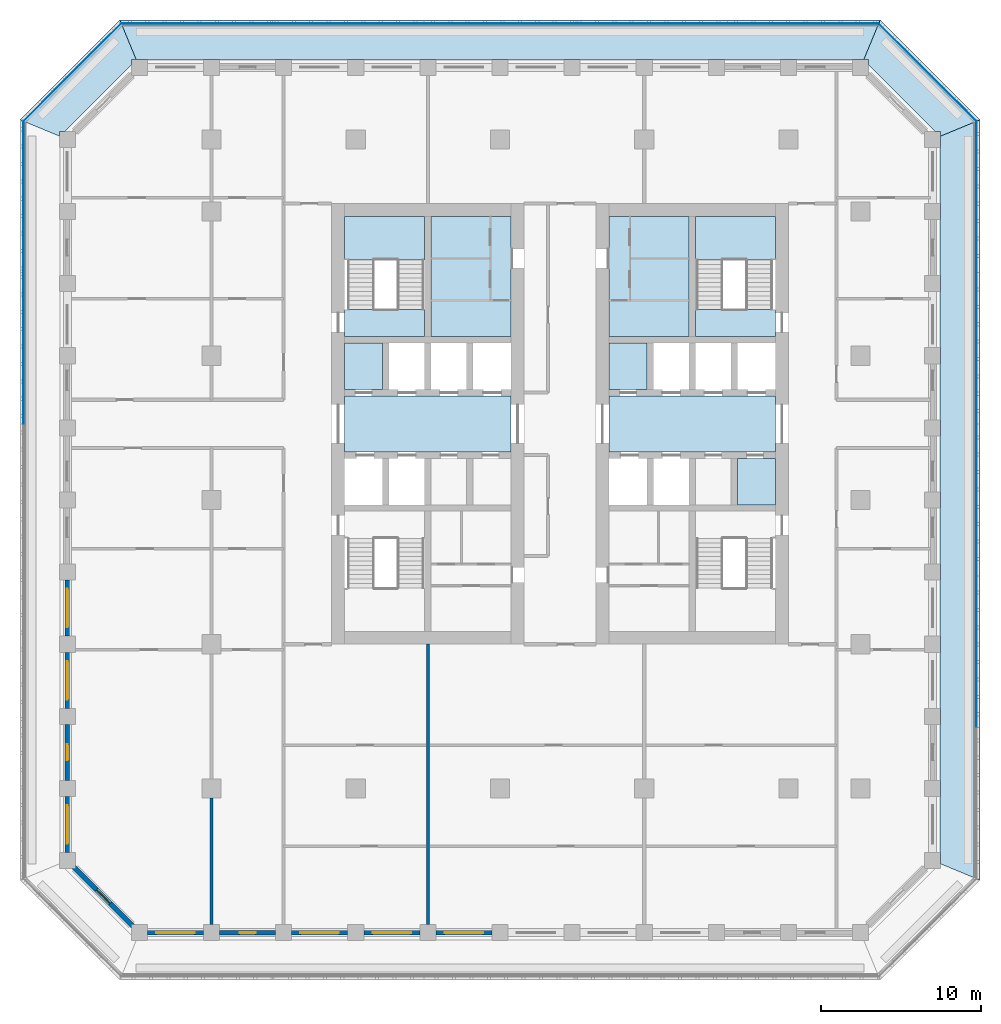
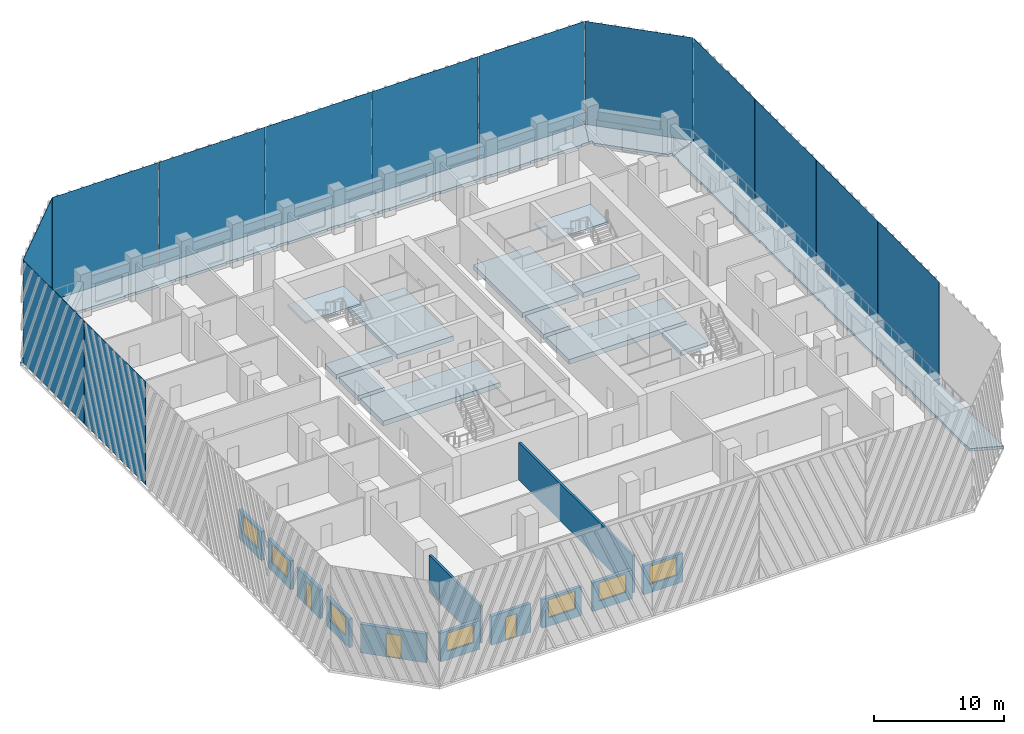
# One storey, part 2 of 18: 15 slabs, 13 plates, 12 walls, 7 windows, 3 doors, 10 openings, 2 elements without a shape of their own.
"""IFC4 building model written with IfcOpenShell, lengths in metres."""

from ifc_helpers import new_model, si_unit, direction, frame, frame_2d, origin, origin_2d, place, context, subcontext, project, spatial, polyline, rectangle, outline, extrude, material, layer, layer_set, type_object, element, fill, aggregate, save


model = new_model("IFC4")

# Units and contexts
model_context = context("Model", 3, precision=1e-05, world=origin(), true_north=direction((0.0, 1.0)))
body_context = subcontext(model_context, "Body", "Model", "MODEL_VIEW")
ifc_project = project(units=[si_unit("LENGTHUNIT", "METRE"), si_unit("AREAUNIT", "SQUARE_METRE"), si_unit("VOLUMEUNIT", "CUBIC_METRE"), si_unit("PLANEANGLEUNIT", "RADIAN"), si_unit("MASSUNIT", "GRAM", prefix="KILO")], contexts=[model_context])

# Site, building, storey
site_placement = place(None, origin())
site = spatial("IfcSite", under=ifc_project, at=site_placement, CompositionType="ELEMENT")
building_placement = place(site_placement, origin())
building = spatial("IfcBuilding", under=site, at=building_placement, Name="Corbel Stack Research Tower", CompositionType="ELEMENT")
storey_placement = place(building_placement, frame((0.0, 0.0, 181.39990234375)))
storey = spatial("IfcBuildingStorey", under=building, at=storey_placement, Name="L41", CompositionType="ELEMENT", Elevation=181.39990234375)

# Plates
ifc_material_1 = material(Name="Fritted glass", Category="glass")
ifc_layer_1 = layer(ifc_material_1, 0.02490234375)
ifc_layer_set_1 = layer_set([ifc_layer_1], Name="Fritted glass")
plate_type = type_object("IfcPlateType", Name="Fritted glass panel 25", PredefinedType="SHEET", material=ifc_layer_set_1)
for number, where, z_axis, x_axis, name in (
    (1, (29.737548828125, -9.45556640625, 0.000244140625), (0.0, 0.0, 1.0), (0.0, 1.0, 0.0), "Fritted glass L41 E2"),
    (2, (29.737548828125, 0.0, 0.000244140625), (0.0, 0.0, 1.0), (0.0, 1.0, 0.0), "Fritted glass L41 E3"),
    (3, (29.737548828125, 9.45556640625, 0.000244140625), (0.0, 0.0, 1.0), (0.0, 1.0, 0.0), "Fritted glass L41 E4"),
    (4, (29.737548828125, 18.911376953125, 0.000244140625), (0.0, 0.0, 1.0), (0.0, 1.0, 0.0), "Fritted glass L41 E5"),
):
    element("IfcPlate", number, at=place(storey_placement, frame(where, z_axis=z_axis, x_axis=x_axis)), inside=storey, type_object=plate_type, Name=name, PredefinedType="SHEET", context=body_context, shape_type="SweptSolid", body=[
        extrude(rectangle(XDim=9.3955078125, YDim=0.02490234375, at=origin_2d()), origin(), (0.0, 0.0, 1.0), 9.64990234375),
    ])
plate_1_placement = place(storey_placement, frame((26.685791015625, 26.685791015625, 0.000244140625), z_axis=(0.0, 0.0, 1.0), x_axis=(-0.707106781187, 0.707106781187, 0.0)))
element("IfcPlate", 5, at=plate_1_placement, inside=storey, type_object=plate_type, Name="Fritted glass L41 NE1", PredefinedType="SHEET", context=body_context, shape_type="SweptSolid", body=[
    extrude(rectangle(XDim=8.58203125, YDim=0.02490234375, at=origin_2d()), origin(), (0.0, 0.0, 1.0), 9.64990234375),
])
for number, where, z_axis, x_axis, name in (
    (6, (18.911376953125, 29.737548828125, 0.000244140625), (0.0, 0.0, 1.0), (-1.0, 0.0, 0.0), "Fritted glass L41 N1"),
    (7, (9.45556640625, 29.737548828125, 0.000244140625), (0.0, 0.0, 1.0), (-1.0, 0.0, 0.0), "Fritted glass L41 N2"),
    (8, (0.0, 29.737548828125, 0.000244140625), (0.0, 0.0, 1.0), (-1.0, 0.0, 0.0), "Fritted glass L41 N3"),
    (9, (-9.45556640625, 29.737548828125, 0.000244140625), (0.0, 0.0, 1.0), (-1.0, 0.0, 0.0), "Fritted glass L41 N4"),
    (10, (-18.911376953125, 29.737548828125, 0.000244140625), (0.0, 0.0, 1.0), (-1.0, 0.0, 0.0), "Fritted glass L41 N5"),
):
    element("IfcPlate", number, at=place(storey_placement, frame(where, z_axis=z_axis, x_axis=x_axis)), inside=storey, type_object=plate_type, Name=name, PredefinedType="SHEET", context=body_context, shape_type="SweptSolid", body=[
        extrude(rectangle(XDim=9.3955078125, YDim=0.02490234375, at=origin_2d()), origin(), (0.0, 0.0, 1.0), 9.64990234375),
    ])
plate_2_placement = place(storey_placement, frame((-26.685791015625, 26.685791015625, 0.000244140625), z_axis=(0.0, 0.0, 1.0), x_axis=(-0.707106781187, -0.707106781187, 0.0)))
element("IfcPlate", 11, at=plate_2_placement, inside=storey, type_object=plate_type, Name="Fritted glass L41 NW1", PredefinedType="SHEET", context=body_context, shape_type="SweptSolid", body=[
    extrude(rectangle(XDim=8.58203125, YDim=0.02490234375, at=origin_2d()), origin(), (0.0, 0.0, 1.0), 9.64990234375),
])
for number, where, z_axis, x_axis, name in (
    (12, (-29.737548828125, 18.911376953125, 0.000244140625), (0.0, 0.0, 1.0), (0.0, -1.0, 0.0), "Fritted glass L41 W1"),
    (13, (-29.737548828125, 9.45556640625, 0.000244140625), (0.0, 0.0, 1.0), (0.0, -1.0, 0.0), "Fritted glass L41 W2"),
):
    element("IfcPlate", number, at=place(storey_placement, frame(where, z_axis=z_axis, x_axis=x_axis)), inside=storey, type_object=plate_type, Name=name, PredefinedType="SHEET", context=body_context, shape_type="SweptSolid", body=[
        extrude(rectangle(XDim=9.3955078125, YDim=0.02490234375, at=origin_2d()), origin(), (0.0, 0.0, 1.0), 9.64990234375),
    ])

# Slabs
ifc_material_2 = material(Name="Concrete C45/55", Category="concrete")
ifc_layer_2 = layer(ifc_material_2, 0.25)
ifc_layer_set_2 = layer_set([ifc_layer_2], Name="Concrete C45/55")
slab_type_1 = type_object("IfcSlabType", Name="PT balcony slab 250 C45/55", PredefinedType="FLOOR", material=ifc_layer_set_2)
slab_1_placement = place(storey_placement, frame((0.0, 0.0, -0.25)))
element("IfcSlab", 14, at=slab_1_placement, inside=storey, type_object=slab_type_1, Name="Loggia slab L41 E", PredefinedType="FLOOR", context=body_context, shape_type="SweptSolid", body=[
    extrude(outline(polyline([(27.5, 22.70703125), (27.5, 22.0), (27.449951171875, 22.0), (27.449951171875, 18.5), (27.5, 18.5), (27.5, 17.5), (27.449951171875, 17.5), (27.449951171875, 14.0), (27.5, 14.0), (27.5, 13.0), (27.449951171875, 13.0), (27.449951171875, 9.5), (27.5, 9.5), (27.5, 8.5), (27.449951171875, 8.5), (27.449951171875, 5.0), (27.5, 5.0), (27.5, 4.0), (27.449951171875, 4.0), (27.449951171875, 0.5), (27.5, 0.5), (27.5, -0.5), (27.449951171875, -0.5), (27.449951171875, -4.0), (27.5, -4.0), (27.5, -5.0), (27.449951171875, -5.0), (27.449951171875, -8.5), (27.5, -8.5), (27.5, -9.5), (27.449951171875, -9.5), (27.449951171875, -13.0), (27.5, -13.0), (27.5, -14.0), (27.449951171875, -14.0), (27.449951171875, -17.5), (27.5, -17.5), (27.5, -18.5), (27.449951171875, -18.5), (27.449951171875, -22.0), (27.5, -22.0), (27.5, -22.70703125), (29.949951171875, -23.721923828125), (29.949951171875, 23.721923828125), (27.5, 22.70703125)])), origin(), (0.0, 0.0, 1.0), 0.25),
])
slab_2_placement = place(storey_placement, frame((0.0, 0.0, -0.25)))
element("IfcSlab", 15, at=slab_2_placement, inside=storey, type_object=slab_type_1, Name="Loggia slab L41 NE", PredefinedType="FLOOR", context=body_context, shape_type="SweptSolid", body=[
    extrude(outline(polyline([(22.70703125, 27.5), (23.0, 27.5), (23.0, 27.136474609375), (27.136474609375, 23.0), (27.5, 23.0), (27.5, 22.70703125), (29.949951171875, 23.721923828125), (23.721923828125, 29.949951171875), (22.70703125, 27.5)])), origin(), (0.0, 0.0, 1.0), 0.25),
])
slab_3_placement = place(storey_placement, frame((0.0, 0.0, -0.25)))
element("IfcSlab", 16, at=slab_3_placement, inside=storey, type_object=slab_type_1, Name="Loggia slab L41 N", PredefinedType="FLOOR", context=body_context, shape_type="SweptSolid", body=[
    extrude(outline(polyline([(-22.70703125, 27.5), (-22.0, 27.5), (-22.0, 27.449951171875), (-18.5, 27.449951171875), (-18.5, 27.5), (-17.5, 27.5), (-17.5, 27.449951171875), (-14.0, 27.449951171875), (-14.0, 27.5), (-13.0, 27.5), (-13.0, 27.449951171875), (-9.5, 27.449951171875), (-9.5, 27.5), (-8.5, 27.5), (-8.5, 27.449951171875), (-5.0, 27.449951171875), (-5.0, 27.5), (-4.0, 27.5), (-4.0, 27.449951171875), (-0.5, 27.449951171875), (-0.5, 27.5), (0.5, 27.5), (0.5, 27.449951171875), (4.0, 27.449951171875), (4.0, 27.5), (5.0, 27.5), (5.0, 27.449951171875), (8.5, 27.449951171875), (8.5, 27.5), (9.5, 27.5), (9.5, 27.449951171875), (13.0, 27.449951171875), (13.0, 27.5), (14.0, 27.5), (14.0, 27.449951171875), (17.5, 27.449951171875), (17.5, 27.5), (18.5, 27.5), (18.5, 27.449951171875), (22.0, 27.449951171875), (22.0, 27.5), (22.70703125, 27.5), (23.721923828125, 29.949951171875), (-23.721923828125, 29.949951171875), (-22.70703125, 27.5)])), origin(), (0.0, 0.0, 1.0), 0.25),
])
slab_4_placement = place(storey_placement, frame((0.0, 0.0, -0.25)))
element("IfcSlab", 17, at=slab_4_placement, inside=storey, type_object=slab_type_1, Name="Loggia slab L41 NW", PredefinedType="FLOOR", context=body_context, shape_type="SweptSolid", body=[
    extrude(outline(polyline([(-27.5, 22.70703125), (-27.5, 23.0), (-27.136474609375, 23.0), (-23.0, 27.136474609375), (-23.0, 27.5), (-22.70703125, 27.5), (-23.721923828125, 29.949951171875), (-29.949951171875, 23.721923828125), (-27.5, 22.70703125)])), origin(), (0.0, 0.0, 1.0), 0.25),
])
ifc_material_3 = material(Name="Concrete C45/55", Category="concrete")
ifc_layer_3 = layer(ifc_material_3, 0.449951171875)
ifc_layer_set_3 = layer_set([ifc_layer_3], Name="Concrete C45/55")
slab_type_2 = type_object("IfcSlabType", Name="PT-450", PredefinedType="FLOOR", material=ifc_layer_set_3)
slab_5_placement = place(storey_placement, frame((0.0, 0.0, -0.449951171875)))
element("IfcSlab", 18, at=slab_5_placement, inside=storey, type_object=slab_type_2, Name="West core floor L41", PredefinedType="FLOOR", context=body_context, shape_type="SweptSolid", body=[
    extrude(outline(polyline([(0.699951171875, 6.5), (-9.699951171875, 6.5), (-9.699951171875, 3.0), (0.699951171875, 3.0), (0.699951171875, 6.5)])), origin(), (0.0, 0.0, 1.0), 0.449951171875),
])
slab_6_placement = place(storey_placement, frame((0.0, 0.0, -0.449951171875)))
element("IfcSlab", 19, at=slab_6_placement, inside=storey, type_object=slab_type_2, Name="West core floor L41", PredefinedType="FLOOR", context=body_context, shape_type="SweptSolid", body=[
    extrude(outline(polyline([(-9.699951171875, 6.89990234375), (-7.324951171875, 6.89990234375), (-7.324951171875, 9.800048828125), (-9.699951171875, 9.800048828125), (-9.699951171875, 6.89990234375)])), origin(), (0.0, 0.0, 1.0), 0.449951171875),
])
slab_7_placement = place(storey_placement, frame((0.0, 0.0, -0.449951171875)))
element("IfcSlab", 20, at=slab_7_placement, inside=storey, type_object=slab_type_2, Name="West core floor L41", PredefinedType="FLOOR", context=body_context, shape_type="SweptSolid", body=[
    extrude(outline(polyline([(0.699951171875, 17.699951171875), (-4.300048828125, 17.699951171875), (-4.300048828125, 10.199951171875), (0.699951171875, 10.199951171875), (0.699951171875, 17.699951171875)])), origin(), (0.0, 0.0, 1.0), 0.449951171875),
])
slab_8_placement = place(storey_placement, frame((0.0, 0.0, -0.449951171875)))
element("IfcSlab", 21, at=slab_8_placement, inside=storey, type_object=slab_type_2, Name="East core floor L41", PredefinedType="FLOOR", context=body_context, shape_type="SweptSolid", body=[
    extrude(outline(polyline([(17.199951171875, 6.5), (6.800048828125, 6.5), (6.800048828125, 3.0), (17.199951171875, 3.0), (17.199951171875, 6.5)])), origin(), (0.0, 0.0, 1.0), 0.449951171875),
])
slab_9_placement = place(storey_placement, frame((0.0, 0.0, -0.449951171875)))
element("IfcSlab", 22, at=slab_9_placement, inside=storey, type_object=slab_type_2, Name="East core floor L41", PredefinedType="FLOOR", context=body_context, shape_type="SweptSolid", body=[
    extrude(outline(polyline([(6.800048828125, 6.89990234375), (9.175048828125, 6.89990234375), (9.175048828125, 9.800048828125), (6.800048828125, 9.800048828125), (6.800048828125, 6.89990234375)])), origin(), (0.0, 0.0, 1.0), 0.449951171875),
])
slab_10_placement = place(storey_placement, frame((0.0, 0.0, -0.449951171875)))
element("IfcSlab", 23, at=slab_10_placement, inside=storey, type_object=slab_type_2, Name="East core floor L41", PredefinedType="FLOOR", context=body_context, shape_type="SweptSolid", body=[
    extrude(outline(polyline([(6.800048828125, 17.699951171875), (6.800048828125, 10.199951171875), (11.800048828125, 10.199951171875), (11.800048828125, 17.699951171875), (6.800048828125, 17.699951171875)])), origin(), (0.0, 0.0, 1.0), 0.449951171875),
])
slab_11_placement = place(storey_placement, frame((0.0, 0.0, -0.449951171875)))
element("IfcSlab", 24, at=slab_11_placement, inside=storey, type_object=slab_type_2, Name="East core floor L41", PredefinedType="FLOOR", context=body_context, shape_type="SweptSolid", body=[
    extrude(outline(polyline([(17.199951171875, -0.300048828125), (17.199951171875, 2.60009765625), (14.824951171875, 2.60009765625), (14.824951171875, -0.300048828125), (17.199951171875, -0.300048828125)])), origin(), (0.0, 0.0, 1.0), 0.449951171875),
])
slab_12_placement = place(storey_placement, frame((0.0, 0.0, -0.449951171875)))
element("IfcSlab", 25, at=slab_12_placement, inside=storey, type_object=slab_type_2, Name="Stair floor landing ST-W2", PredefinedType="FLOOR", context=body_context, shape_type="SweptSolid", body=[
    extrude(outline(polyline([(-9.699951171875, 10.199951171875), (-4.699951171875, 10.199951171875), (-4.699951171875, 11.89990234375), (-9.699951171875, 11.89990234375), (-9.699951171875, 10.199951171875)])), origin(), (0.0, 0.0, 1.0), 0.449951171875),
])
slab_13_placement = place(storey_placement, frame((0.0, 0.0, -0.449951171875)))
element("IfcSlab", 26, at=slab_13_placement, inside=storey, type_object=slab_type_2, Name="Stair floor landing ST-E2", PredefinedType="FLOOR", context=body_context, shape_type="SweptSolid", body=[
    extrude(outline(polyline([(12.199951171875, 10.199951171875), (17.199951171875, 10.199951171875), (17.199951171875, 11.89990234375), (12.199951171875, 11.89990234375), (12.199951171875, 10.199951171875)])), origin(), (0.0, 0.0, 1.0), 0.449951171875),
])

# Stair, slab
ifc_material_4 = material(Name="Concrete C40/50", Category="concrete")
stair_type = type_object("IfcStairType", Name="Exit stair 24 risers", PredefinedType="HALF_TURN_STAIR", material=ifc_material_4)
stair_1_placement = place(storey_placement, origin())
stair_1 = element("IfcStair", 27, at=stair_1_placement, inside=storey, type_object=stair_type, Name="L41 Exit stair ST-W2", PredefinedType="HALF_TURN_STAIR")
ifc_material_5 = material(Name="Concrete C40/50", Category="concrete")
ifc_layer_4 = layer(ifc_material_5, 0.199951171875)
ifc_layer_set_4 = layer_set([ifc_layer_4], Name="Concrete C40/50")
slab_type_3 = type_object("IfcSlabType", Name="Stair landing 200 C40/50", PredefinedType="LANDING", material=ifc_layer_set_4)
slab_14_placement = place(storey_placement, frame((0.0, 0.0, 1.85009765625)))
slab_14 = element("IfcSlab", 28, at=slab_14_placement, type_object=slab_type_3, Name="ST-W2 landing 1", PredefinedType="LANDING", context=body_context, shape_type="SweptSolid", body=[
    extrude(outline(polyline([(-9.699951171875, 14.97998046875), (-9.699951171875, 17.699951171875), (-4.699951171875, 17.699951171875), (-4.699951171875, 14.97998046875), (-9.699951171875, 14.97998046875)])), origin(), (0.0, 0.0, 1.0), 0.199951171875),
])
aggregate(stair_1, [slab_14])

stair_2_placement = place(storey_placement, origin())
stair_2 = element("IfcStair", 29, at=stair_2_placement, inside=storey, type_object=stair_type, Name="L41 Exit stair ST-E2", PredefinedType="HALF_TURN_STAIR")
slab_15_placement = place(storey_placement, frame((0.0, 0.0, 1.85009765625)))
slab_15 = element("IfcSlab", 30, at=slab_15_placement, type_object=slab_type_3, Name="ST-E2 landing 1", PredefinedType="LANDING", context=body_context, shape_type="SweptSolid", body=[
    extrude(outline(polyline([(12.199951171875, 14.97998046875), (12.199951171875, 17.699951171875), (17.199951171875, 17.699951171875), (17.199951171875, 14.97998046875), (12.199951171875, 14.97998046875)])), origin(), (0.0, 0.0, 1.0), 0.199951171875),
])
aggregate(stair_2, [slab_15])

# Walls
ifc_material_6 = material(Name="Fire-rated gypsum board partition on steel studs", Category="steel")
ifc_layer_5 = layer(ifc_material_6, 0.199951171875)
ifc_layer_set_5 = layer_set([ifc_layer_5], Name="Fire-rated gypsum board partition on steel studs")
wall_type_1 = type_object("IfcWallType", Name="Fire-rated partition 200 EI 60", PredefinedType="PARTITIONING", material=ifc_layer_set_5)
wall_1_placement = place(storey_placement, frame((-18.0, -26.5, 0.0), z_axis=(0.0, 0.0, 1.0), x_axis=(0.0, 1.0, 0.0)))
element("IfcWall", 31, at=wall_1_placement, inside=storey, type_object=wall_type_1, Name="Partition L41-001", PredefinedType="PARTITIONING", context=body_context, shape_type="SweptSolid", body=[
    extrude(rectangle(XDim=7.89990234375, YDim=0.199951171875, at=frame_2d((3.949951171875, 0.0))), origin(), (0.0, 0.0, 1.0), 3.5),
])
wall_2_placement = place(storey_placement, frame((-4.5, -26.5, 0.0), z_axis=(0.0, 0.0, 1.0), x_axis=(0.0, 1.0, 0.0)))
element("IfcWall", 32, at=wall_2_placement, inside=storey, type_object=wall_type_1, Name="Partition L41-011", PredefinedType="PARTITIONING", context=body_context, shape_type="SweptSolid", body=[
    extrude(rectangle(XDim=17.5, YDim=0.199951171875, at=frame_2d((8.75, 0.0))), origin(), (0.0, 0.0, 1.0), 3.5),
])

# Wall, opening, window
ifc_material_7 = material(Name="Concrete C45/55", Category="concrete")
ifc_layer_6 = layer(ifc_material_7, 0.300048828125)
ifc_layer_set_6 = layer_set([ifc_layer_6], Name="Concrete C45/55")
wall_type_2 = type_object("IfcWallType", Name="Terracotta-faced concrete wall 300", PredefinedType="SOLIDWALL", material=ifc_layer_set_6)
wall_3_placement = place(storey_placement, frame((-18.5, -27.0, 0.0), z_axis=(0.0, 0.0, 1.0), x_axis=(-1.0, 0.0, 0.0)))
wall_3 = element("IfcWall", 33, at=wall_3_placement, inside=storey, type_object=wall_type_2, Name="Facade wall L41 S01", PredefinedType="SOLIDWALL", context=body_context, shape_type="SweptSolid", body=[
    extrude(rectangle(XDim=3.5, YDim=0.300048828125, at=frame_2d((1.75, 0.0))), origin(), (0.0, 0.0, 1.0), 2.7001953125),
])
opening_1_placement = place(wall_3_placement, frame((0.550048828125, 0.0, 0.800048828125)))
opening_1 = element("IfcOpeningElement", 34, at=opening_1_placement, cuts=wall_3, Name="Opening W1", PredefinedType="OPENING", context=body_context, shape_type="SweptSolid", body=[
    extrude(rectangle(XDim=2.39990234375, YDim=1.699951171875, at=frame_2d((1.199951171875, 0.85009765625))), frame((0.0, 0.159912109375, 0.0), z_axis=(0.0, -1.0, 0.0), x_axis=(1.0, 0.0, 0.0)), (0.0, 0.0, 1.0), 0.320068359375),
])
ifc_material_8 = material(Name="Aluminium frame, clear double glazing", Category="aluminium")
window_type = type_object("IfcWindowType", Name="Window W1 2400 x 1700", PartitioningType="SINGLE_PANEL", PredefinedType="WINDOW", material=ifc_material_8)
window_1_placement = place(opening_1_placement, origin())
window_1 = element("IfcWindow", 35, at=window_1_placement, inside=storey, type_object=window_type, Name="Window W1 L41 S01", OverallHeight=1.699951171875, OverallWidth=2.39990234375, PartitioningType="SINGLE_PANEL", PredefinedType="WINDOW", context=body_context, shape_type="SweptSolid", body=[
    extrude(rectangle(XDim=2.39990234375, YDim=1.699951171875, at=frame_2d((1.199951171875, 0.85009765625))), frame((0.0, 0.030029296875, 0.0), z_axis=(0.0, -1.0, 0.0), x_axis=(1.0, 0.0, 0.0)), (0.0, 0.0, 1.0), 0.06005859375),
])
fill(opening_1, window_1)

# Wall, opening, door
wall_4_placement = place(storey_placement, frame((-14.0, -27.0, 0.0), z_axis=(0.0, 0.0, 1.0), x_axis=(-1.0, 0.0, 0.0)))
wall_4 = element("IfcWall", 36, at=wall_4_placement, inside=storey, type_object=wall_type_2, Name="Facade wall L41 S02", PredefinedType="SOLIDWALL", context=body_context, shape_type="SweptSolid", body=[
    extrude(rectangle(XDim=3.5, YDim=0.300048828125, at=frame_2d((1.75, 0.0))), origin(), (0.0, 0.0, 1.0), 2.7001953125),
])
opening_2_placement = place(wall_4_placement, frame((1.25, 0.0, 0.0)))
opening_2 = element("IfcOpeningElement", 37, at=opening_2_placement, cuts=wall_4, Name="Opening L41-B01", PredefinedType="OPENING", context=body_context, shape_type="SweptSolid", body=[
    extrude(rectangle(XDim=1.0, YDim=2.199951171875, at=frame_2d((0.5, 1.10009765625))), frame((0.0, 0.159912109375, 0.0), z_axis=(0.0, -1.0, 0.0), x_axis=(1.0, 0.0, 0.0)), (0.0, 0.0, 1.0), 0.320068359375),
])
ifc_material_9 = material(Name="Aluminium frame, clear double glazing", Category="aluminium")
door_type_1 = type_object("IfcDoorType", Name="Balcony door BD1 1000 x 2200", OperationType="NOTDEFINED", PredefinedType="DOOR", material=ifc_material_9)
door_1_placement = place(opening_2_placement, origin())
door_1 = element("IfcDoor", 38, at=door_1_placement, inside=storey, type_object=door_type_1, Name="Balcony door L41-B01", OperationType="SINGLE_SWING_LEFT", OverallHeight=2.199951171875, OverallWidth=1.0, PredefinedType="DOOR", context=body_context, shape_type="SweptSolid", body=[
    extrude(rectangle(XDim=1.0, YDim=2.199951171875, at=frame_2d((0.5, 1.10009765625))), frame((0.0, 0.02490234375, 0.0), z_axis=(0.0, -1.0, 0.0), x_axis=(1.0, 0.0, 0.0)), (0.0, 0.0, 1.0), 0.050048828125),
])
fill(opening_2, door_1)

# Wall, opening, window
wall_5_placement = place(storey_placement, frame((-9.5, -27.0, 0.0), z_axis=(0.0, 0.0, 1.0), x_axis=(-1.0, 0.0, 0.0)))
wall_5 = element("IfcWall", 39, at=wall_5_placement, inside=storey, type_object=wall_type_2, Name="Facade wall L41 S03", PredefinedType="SOLIDWALL", context=body_context, shape_type="SweptSolid", body=[
    extrude(rectangle(XDim=3.5, YDim=0.300048828125, at=frame_2d((1.75, 0.0))), origin(), (0.0, 0.0, 1.0), 2.7001953125),
])
opening_3_placement = place(wall_5_placement, frame((0.550048828125, 0.0, 0.800048828125)))
opening_3 = element("IfcOpeningElement", 40, at=opening_3_placement, cuts=wall_5, Name="Opening W1", PredefinedType="OPENING", context=body_context, shape_type="SweptSolid", body=[
    extrude(rectangle(XDim=2.39990234375, YDim=1.699951171875, at=frame_2d((1.199951171875, 0.85009765625))), frame((0.0, 0.159912109375, 0.0), z_axis=(0.0, -1.0, 0.0), x_axis=(1.0, 0.0, 0.0)), (0.0, 0.0, 1.0), 0.320068359375),
])
window_2_placement = place(opening_3_placement, origin())
window_2 = element("IfcWindow", 41, at=window_2_placement, inside=storey, type_object=window_type, Name="Window W1 L41 S03", OverallHeight=1.699951171875, OverallWidth=2.39990234375, PartitioningType="SINGLE_PANEL", PredefinedType="WINDOW", context=body_context, shape_type="SweptSolid", body=[
    extrude(rectangle(XDim=2.39990234375, YDim=1.699951171875, at=frame_2d((1.199951171875, 0.85009765625))), frame((0.0, 0.030029296875, 0.0), z_axis=(0.0, -1.0, 0.0), x_axis=(1.0, 0.0, 0.0)), (0.0, 0.0, 1.0), 0.06005859375),
])
fill(opening_3, window_2)

wall_6_placement = place(storey_placement, frame((-5.0, -27.0, 0.0), z_axis=(0.0, 0.0, 1.0), x_axis=(-1.0, 0.0, 0.0)))
wall_6 = element("IfcWall", 42, at=wall_6_placement, inside=storey, type_object=wall_type_2, Name="Facade wall L41 S04", PredefinedType="SOLIDWALL", context=body_context, shape_type="SweptSolid", body=[
    extrude(rectangle(XDim=3.5, YDim=0.300048828125, at=frame_2d((1.75, 0.0))), origin(), (0.0, 0.0, 1.0), 2.7001953125),
])
opening_4_placement = place(wall_6_placement, frame((0.550048828125, 0.0, 0.800048828125)))
opening_4 = element("IfcOpeningElement", 43, at=opening_4_placement, cuts=wall_6, Name="Opening W1", PredefinedType="OPENING", context=body_context, shape_type="SweptSolid", body=[
    extrude(rectangle(XDim=2.39990234375, YDim=1.699951171875, at=frame_2d((1.199951171875, 0.85009765625))), frame((0.0, 0.159912109375, 0.0), z_axis=(0.0, -1.0, 0.0), x_axis=(1.0, 0.0, 0.0)), (0.0, 0.0, 1.0), 0.320068359375),
])
window_3_placement = place(opening_4_placement, origin())
window_3 = element("IfcWindow", 44, at=window_3_placement, inside=storey, type_object=window_type, Name="Window W1 L41 S04", OverallHeight=1.699951171875, OverallWidth=2.39990234375, PartitioningType="SINGLE_PANEL", PredefinedType="WINDOW", context=body_context, shape_type="SweptSolid", body=[
    extrude(rectangle(XDim=2.39990234375, YDim=1.699951171875, at=frame_2d((1.199951171875, 0.85009765625))), frame((0.0, 0.030029296875, 0.0), z_axis=(0.0, -1.0, 0.0), x_axis=(1.0, 0.0, 0.0)), (0.0, 0.0, 1.0), 0.06005859375),
])
fill(opening_4, window_3)

wall_7_placement = place(storey_placement, frame((-0.5, -27.0, 0.0), z_axis=(0.0, 0.0, 1.0), x_axis=(-1.0, 0.0, 0.0)))
wall_7 = element("IfcWall", 45, at=wall_7_placement, inside=storey, type_object=wall_type_2, Name="Facade wall L41 S05", PredefinedType="SOLIDWALL", context=body_context, shape_type="SweptSolid", body=[
    extrude(rectangle(XDim=3.5, YDim=0.300048828125, at=frame_2d((1.75, 0.0))), origin(), (0.0, 0.0, 1.0), 2.7001953125),
])
opening_5_placement = place(wall_7_placement, frame((0.550048828125, 0.0, 0.800048828125)))
opening_5 = element("IfcOpeningElement", 46, at=opening_5_placement, cuts=wall_7, Name="Opening W1", PredefinedType="OPENING", context=body_context, shape_type="SweptSolid", body=[
    extrude(rectangle(XDim=2.39990234375, YDim=1.699951171875, at=frame_2d((1.199951171875, 0.85009765625))), frame((0.0, 0.159912109375, 0.0), z_axis=(0.0, -1.0, 0.0), x_axis=(1.0, 0.0, 0.0)), (0.0, 0.0, 1.0), 0.320068359375),
])
window_4_placement = place(opening_5_placement, origin())
window_4 = element("IfcWindow", 47, at=window_4_placement, inside=storey, type_object=window_type, Name="Window W1 L41 S05", OverallHeight=1.699951171875, OverallWidth=2.39990234375, PartitioningType="SINGLE_PANEL", PredefinedType="WINDOW", context=body_context, shape_type="SweptSolid", body=[
    extrude(rectangle(XDim=2.39990234375, YDim=1.699951171875, at=frame_2d((1.199951171875, 0.85009765625))), frame((0.0, 0.030029296875, 0.0), z_axis=(0.0, -1.0, 0.0), x_axis=(1.0, 0.0, 0.0)), (0.0, 0.0, 1.0), 0.06005859375),
])
fill(opening_5, window_4)

wall_8_placement = place(storey_placement, frame((-27.0, -8.5, 0.0), z_axis=(0.0, 0.0, 1.0), x_axis=(0.0, 1.0, 0.0)))
wall_8 = element("IfcWall", 48, at=wall_8_placement, inside=storey, type_object=wall_type_2, Name="Facade wall L41 W07", PredefinedType="SOLIDWALL", context=body_context, shape_type="SweptSolid", body=[
    extrude(rectangle(XDim=3.5, YDim=0.300048828125, at=frame_2d((1.75, 0.0))), origin(), (0.0, 0.0, 1.0), 2.7001953125),
])
opening_6_placement = place(wall_8_placement, frame((0.550048828125, 0.0, 0.800048828125)))
opening_6 = element("IfcOpeningElement", 49, at=opening_6_placement, cuts=wall_8, Name="Opening W1", PredefinedType="OPENING", context=body_context, shape_type="SweptSolid", body=[
    extrude(rectangle(XDim=2.39990234375, YDim=1.699951171875, at=frame_2d((1.199951171875, 0.85009765625))), frame((0.0, 0.159912109375, 0.0), z_axis=(0.0, -1.0, 0.0), x_axis=(1.0, 0.0, 0.0)), (0.0, 0.0, 1.0), 0.320068359375),
])
window_5_placement = place(opening_6_placement, origin())
window_5 = element("IfcWindow", 50, at=window_5_placement, inside=storey, type_object=window_type, Name="Window W1 L41 W07", OverallHeight=1.699951171875, OverallWidth=2.39990234375, PartitioningType="SINGLE_PANEL", PredefinedType="WINDOW", context=body_context, shape_type="SweptSolid", body=[
    extrude(rectangle(XDim=2.39990234375, YDim=1.699951171875, at=frame_2d((1.199951171875, 0.85009765625))), frame((0.0, 0.030029296875, 0.0), z_axis=(0.0, -1.0, 0.0), x_axis=(1.0, 0.0, 0.0)), (0.0, 0.0, 1.0), 0.06005859375),
])
fill(opening_6, window_5)

wall_9_placement = place(storey_placement, frame((-27.0, -13.0, 0.0), z_axis=(0.0, 0.0, 1.0), x_axis=(0.0, 1.0, 0.0)))
wall_9 = element("IfcWall", 51, at=wall_9_placement, inside=storey, type_object=wall_type_2, Name="Facade wall L41 W08", PredefinedType="SOLIDWALL", context=body_context, shape_type="SweptSolid", body=[
    extrude(rectangle(XDim=3.5, YDim=0.300048828125, at=frame_2d((1.75, 0.0))), origin(), (0.0, 0.0, 1.0), 2.7001953125),
])
opening_7_placement = place(wall_9_placement, frame((0.550048828125, 0.0, 0.800048828125)))
opening_7 = element("IfcOpeningElement", 52, at=opening_7_placement, cuts=wall_9, Name="Opening W1", PredefinedType="OPENING", context=body_context, shape_type="SweptSolid", body=[
    extrude(rectangle(XDim=2.39990234375, YDim=1.699951171875, at=frame_2d((1.199951171875, 0.85009765625))), frame((0.0, 0.159912109375, 0.0), z_axis=(0.0, -1.0, 0.0), x_axis=(1.0, 0.0, 0.0)), (0.0, 0.0, 1.0), 0.320068359375),
])
window_6_placement = place(opening_7_placement, origin())
window_6 = element("IfcWindow", 53, at=window_6_placement, inside=storey, type_object=window_type, Name="Window W1 L41 W08", OverallHeight=1.699951171875, OverallWidth=2.39990234375, PartitioningType="SINGLE_PANEL", PredefinedType="WINDOW", context=body_context, shape_type="SweptSolid", body=[
    extrude(rectangle(XDim=2.39990234375, YDim=1.699951171875, at=frame_2d((1.199951171875, 0.85009765625))), frame((0.0, 0.030029296875, 0.0), z_axis=(0.0, -1.0, 0.0), x_axis=(1.0, 0.0, 0.0)), (0.0, 0.0, 1.0), 0.06005859375),
])
fill(opening_7, window_6)

# Wall, opening, door
wall_10_placement = place(storey_placement, frame((-27.0, -17.5, 0.0), z_axis=(0.0, 0.0, 1.0), x_axis=(0.0, 1.0, 0.0)))
wall_10 = element("IfcWall", 54, at=wall_10_placement, inside=storey, type_object=wall_type_2, Name="Facade wall L41 W09", PredefinedType="SOLIDWALL", context=body_context, shape_type="SweptSolid", body=[
    extrude(rectangle(XDim=3.5, YDim=0.300048828125, at=frame_2d((1.75, 0.0))), origin(), (0.0, 0.0, 1.0), 2.7001953125),
])
opening_8_placement = place(wall_10_placement, frame((1.25, 0.0, 0.0)))
opening_8 = element("IfcOpeningElement", 55, at=opening_8_placement, cuts=wall_10, Name="Opening L41-B11", PredefinedType="OPENING", context=body_context, shape_type="SweptSolid", body=[
    extrude(rectangle(XDim=1.0, YDim=2.199951171875, at=frame_2d((0.5, 1.10009765625))), frame((0.0, 0.159912109375, 0.0), z_axis=(0.0, -1.0, 0.0), x_axis=(1.0, 0.0, 0.0)), (0.0, 0.0, 1.0), 0.320068359375),
])
door_2_placement = place(opening_8_placement, origin())
door_2 = element("IfcDoor", 56, at=door_2_placement, inside=storey, type_object=door_type_1, Name="Balcony door L41-B11", OperationType="SINGLE_SWING_RIGHT", OverallHeight=2.199951171875, OverallWidth=1.0, PredefinedType="DOOR", context=body_context, shape_type="SweptSolid", body=[
    extrude(rectangle(XDim=1.0, YDim=2.199951171875, at=frame_2d((0.5, 1.10009765625))), frame((0.0, 0.02490234375, 0.0), z_axis=(0.0, -1.0, 0.0), x_axis=(1.0, 0.0, 0.0)), (0.0, 0.0, 1.0), 0.050048828125),
])
fill(opening_8, door_2)

# Wall, opening, window
wall_11_placement = place(storey_placement, frame((-27.0, -22.0, 0.0), z_axis=(0.0, 0.0, 1.0), x_axis=(0.0, 1.0, 0.0)))
wall_11 = element("IfcWall", 57, at=wall_11_placement, inside=storey, type_object=wall_type_2, Name="Facade wall L41 W10", PredefinedType="SOLIDWALL", context=body_context, shape_type="SweptSolid", body=[
    extrude(rectangle(XDim=3.5, YDim=0.300048828125, at=frame_2d((1.75, 0.0))), origin(), (0.0, 0.0, 1.0), 2.7001953125),
])
opening_9_placement = place(wall_11_placement, frame((0.550048828125, 0.0, 0.800048828125)))
opening_9 = element("IfcOpeningElement", 58, at=opening_9_placement, cuts=wall_11, Name="Opening W1", PredefinedType="OPENING", context=body_context, shape_type="SweptSolid", body=[
    extrude(rectangle(XDim=2.39990234375, YDim=1.699951171875, at=frame_2d((1.199951171875, 0.85009765625))), frame((0.0, 0.159912109375, 0.0), z_axis=(0.0, -1.0, 0.0), x_axis=(1.0, 0.0, 0.0)), (0.0, 0.0, 1.0), 0.320068359375),
])
window_7_placement = place(opening_9_placement, origin())
window_7 = element("IfcWindow", 59, at=window_7_placement, inside=storey, type_object=window_type, Name="Window W1 L41 W10", OverallHeight=1.699951171875, OverallWidth=2.39990234375, PartitioningType="SINGLE_PANEL", PredefinedType="WINDOW", context=body_context, shape_type="SweptSolid", body=[
    extrude(rectangle(XDim=2.39990234375, YDim=1.699951171875, at=frame_2d((1.199951171875, 0.85009765625))), frame((0.0, 0.030029296875, 0.0), z_axis=(0.0, -1.0, 0.0), x_axis=(1.0, 0.0, 0.0)), (0.0, 0.0, 1.0), 0.06005859375),
])
fill(opening_9, window_7)

# Wall, opening, door
wall_12_placement = place(storey_placement, frame((-22.893798828125, -26.606201171875, 0.0), z_axis=(0.0, 0.0, 1.0), x_axis=(-0.707106781187, 0.707106781187, 0.0)))
wall_12 = element("IfcWall", 60, at=wall_12_placement, inside=storey, type_object=wall_type_2, Name="Facade wall L41 SW01", PredefinedType="SOLIDWALL", context=body_context, shape_type="SweptSolid", body=[
    extrude(rectangle(XDim=5.250244140625, YDim=0.300048828125, at=frame_2d((2.625, 0.0))), origin(), (0.0, 0.0, 1.0), 2.7001953125),
])
opening_10_placement = place(wall_12_placement, frame((2.02490234375, 0.0, 0.0)))
opening_10 = element("IfcOpeningElement", 61, at=opening_10_placement, cuts=wall_12, Name="Opening L41-B12", PredefinedType="OPENING", context=body_context, shape_type="SweptSolid", body=[
    extrude(rectangle(XDim=1.199951171875, YDim=2.199951171875, at=frame_2d((0.60009765625, 1.10009765625))), frame((0.0, 0.159912109375, 0.0), z_axis=(0.0, -1.0, 0.0), x_axis=(1.0, 0.0, 0.0)), (0.0, 0.0, 1.0), 0.320068359375),
])
ifc_material_10 = material(Name="Aluminium frame, clear double glazing", Category="aluminium")
door_type_2 = type_object("IfcDoorType", Name="Balcony door BD2 1200 x 2200", OperationType="NOTDEFINED", PredefinedType="DOOR", material=ifc_material_10)
door_3_placement = place(opening_10_placement, origin())
door_3 = element("IfcDoor", 62, at=door_3_placement, inside=storey, type_object=door_type_2, Name="Balcony door L41-B12", OperationType="SINGLE_SWING_RIGHT", OverallHeight=2.199951171875, OverallWidth=1.199951171875, PredefinedType="DOOR", context=body_context, shape_type="SweptSolid", body=[
    extrude(rectangle(XDim=1.199951171875, YDim=2.199951171875, at=frame_2d((0.60009765625, 1.10009765625))), frame((0.0, 0.02490234375, 0.0), z_axis=(0.0, -1.0, 0.0), x_axis=(1.0, 0.0, 0.0)), (0.0, 0.0, 1.0), 0.050048828125),
])
fill(opening_10, door_3)

save(model, "model.ifc")
